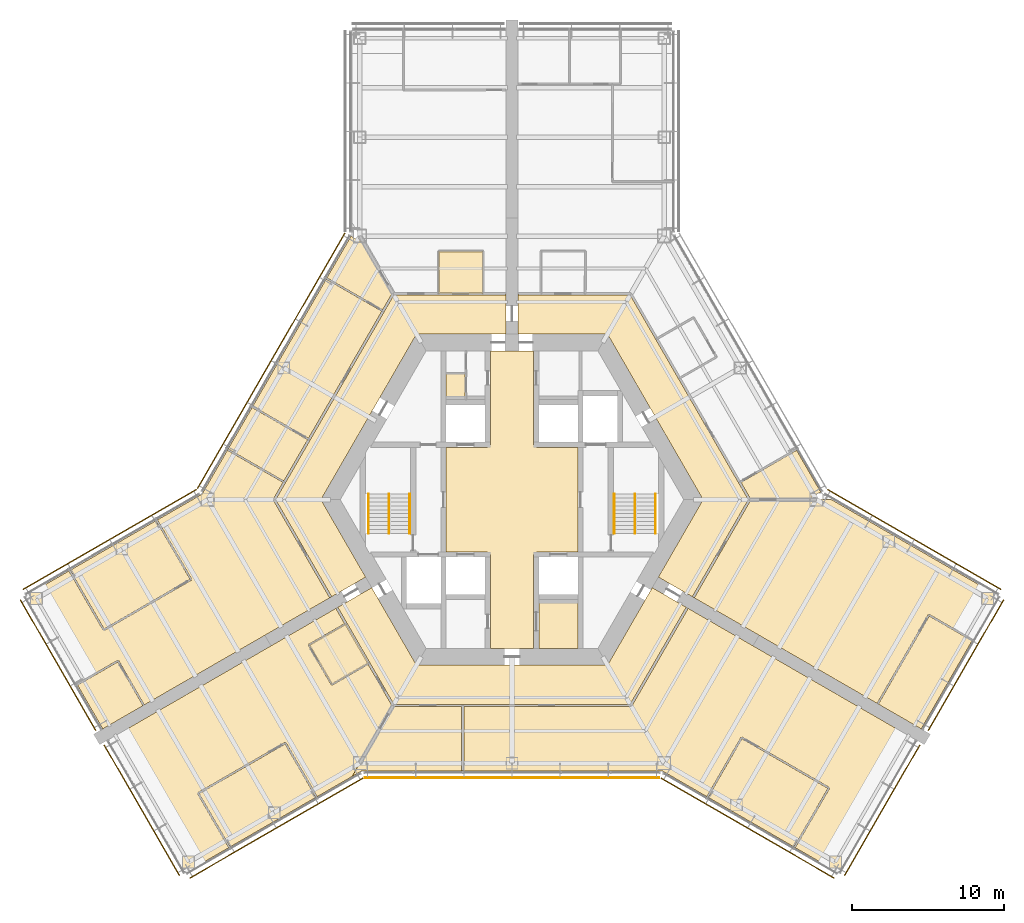
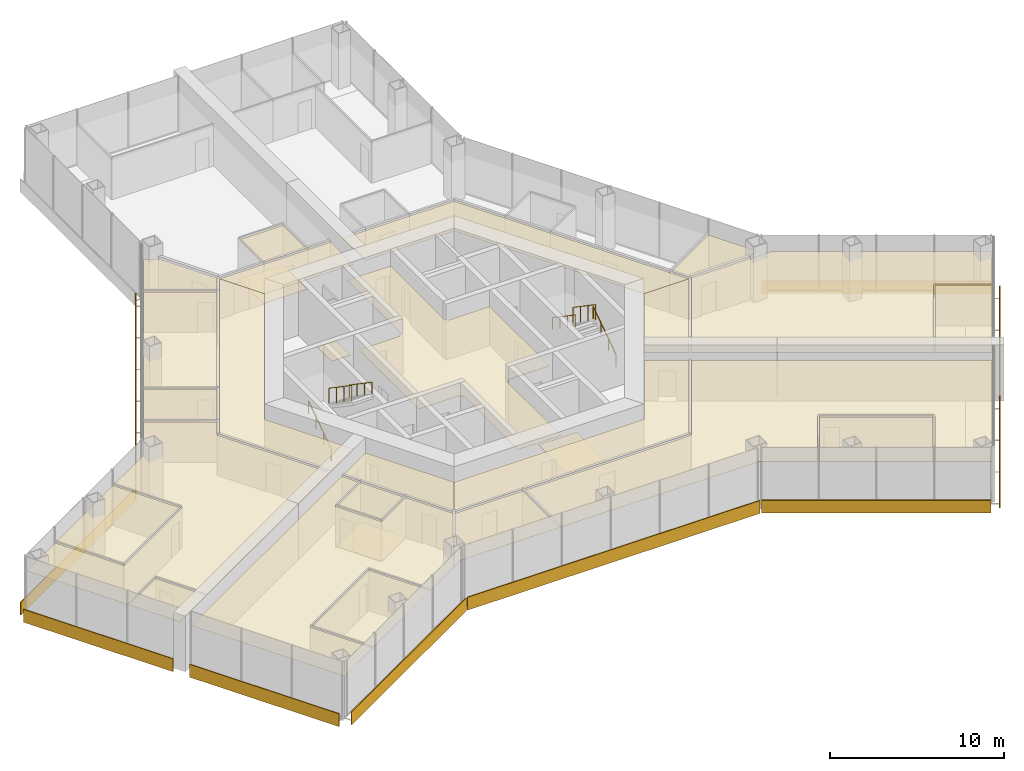
# One storey, part 17 of 18: 27 coverings, 10 shading devices, 6 railings.
"""IFC4 building model written with IfcOpenShell, lengths in metres."""

from ifc_helpers import new_model, si_unit, direction, frame, origin, origin_2d, place, context, subcontext, project, spatial, polyline, rectangle, circle, outline, extrude, material, layer, layer_set, type_object, element, save


model = new_model("IFC4")

# Units and contexts
model_context = context("Model", 3, precision=1e-05, world=origin(), true_north=direction((0.0, 1.0)))
body_context = subcontext(model_context, "Body", "Model", "MODEL_VIEW")
ifc_project = project(units=[si_unit("LENGTHUNIT", "METRE"), si_unit("AREAUNIT", "SQUARE_METRE"), si_unit("VOLUMEUNIT", "CUBIC_METRE"), si_unit("PLANEANGLEUNIT", "RADIAN"), si_unit("MASSUNIT", "GRAM", prefix="KILO")], contexts=[model_context])

# Site, building, storey
site_placement = place(None, origin())
site = spatial("IfcSite", under=ifc_project, at=site_placement, CompositionType="ELEMENT")
building_placement = place(site_placement, origin())
building = spatial("IfcBuilding", under=site, at=building_placement, Name="Kasaneha Research Tower", CompositionType="ELEMENT")
storey_placement = place(building_placement, frame((0.0, 0.0, 76.800048828125)))
storey = spatial("IfcBuildingStorey", under=building, at=storey_placement, Name="L19", CompositionType="ELEMENT", Elevation=76.800048828125)

# Covering
ifc_material_1 = material(Name="Aluminium panel ceiling", Category="aluminium")
ifc_layer_1 = layer(ifc_material_1, 0.0400390625)
ifc_layer_set_1 = layer_set([ifc_layer_1], Name="Lift lobby ceiling 40")
covering_type_1 = type_object("IfcCoveringType", Name="Lift lobby ceiling 40", PredefinedType="CEILING", material=ifc_layer_set_1)
covering_1_placement = place(storey_placement, frame((0.0, 0.0, 2.699951171875)))
element("IfcCovering", 1, at=covering_1_placement, inside=storey, type_object=covering_type_1, Name="Ceiling L19-01", PredefinedType="CEILING", context=body_context, shape_type="SweptSolid", body=[
    extrude(outline(polyline([(1.425048828125, 9.77490234375), (1.425048828125, 3.60009765625), (1.60009765625, 3.60009765625), (1.60009765625, 3.425048828125), (4.324951171875, 3.425048828125), (4.324951171875, -3.425048828125), (1.60009765625, -3.425048828125), (1.60009765625, -3.60009765625), (1.425048828125, -3.60009765625), (1.425048828125, -9.77490234375), (-1.425048828125, -9.77490234375), (-1.425048828125, -3.60009765625), (-1.60009765625, -3.60009765625), (-1.60009765625, -3.425048828125), (-4.324951171875, -3.425048828125), (-4.324951171875, 3.425048828125), (-1.60009765625, 3.425048828125), (-1.60009765625, 3.60009765625), (-1.425048828125, 3.60009765625), (-1.425048828125, 9.77490234375), (1.425048828125, 9.77490234375)])), origin(), (0.0, 0.0, 1.0), 0.0400390625),
])

# Railings
ifc_material_2 = material(Name="Steel", Category="steel")
railing_type_1 = type_object("IfcRailingType", Name="Stair balustrade 1100", PredefinedType="GUARDRAIL", material=ifc_material_2)
for number, where, name in (
    (2, (8.074951171875, 0.375, 2.127197265625), "Stair 1 balustrade L19"),
    (3, (-8.074951171875, 0.375, 2.127197265625), "Stair 2 balustrade L19"),
):
    element("IfcRailing", number, at=place(storey_placement, frame(where)), inside=storey, type_object=railing_type_1, Name=name, PredefinedType="GUARDRAIL", context=body_context, shape_type="SweptSolid", body=[
        extrude(circle(Radius=0.02392578125, at=origin_2d()), frame((0.0, 0.0, 1.076171875), z_axis=(0.0, -0.826240473404, 0.563317565952), x_axis=(1.0, 0.0, 0.0)), (0.0, 0.0, 1.0), 3.14697265625),
        extrude(circle(Radius=0.02099609375, at=origin_2d()), origin(), (0.0, 0.0, 1.0), 1.052001953125),
        extrude(circle(Radius=0.02099609375, at=origin_2d()), frame((0.0, -0.86669921875, 0.5908203125)), (0.0, 0.0, 1.0), 1.052001953125),
        extrude(circle(Radius=0.02099609375, at=origin_2d()), frame((0.0, -1.7333984375, 1.181884765625)), (0.0, 0.0, 1.0), 1.052001953125),
        extrude(circle(Radius=0.02099609375, at=origin_2d()), frame((0.0, -2.60009765625, 1.772705078125)), (0.0, 0.0, 1.0), 1.052001953125),
    ])
ifc_material_3 = material(Name="Steel", Category="steel")
railing_type_2 = type_object("IfcRailingType", Name="Stair handrail 850", PredefinedType="HANDRAIL", material=ifc_material_3)
railing_1_placement = place(storey_placement, frame((9.425048828125, -2.22509765625, 0.17724609375)))
element("IfcRailing", 4, at=railing_1_placement, inside=storey, type_object=railing_type_2, Name="Stair 1 handrail L19", PredefinedType="HANDRAIL", context=body_context, shape_type="SweptSolid", body=[
    extrude(circle(Radius=0.02392578125, at=origin_2d()), frame((0.0, 0.0, 0.826171875), z_axis=(0.0, 0.826240473404, 0.563317565952), x_axis=(-1.0, 0.0, 0.0)), (0.0, 0.0, 1.0), 3.14697265625),
    extrude(circle(Radius=0.02099609375, at=origin_2d()), origin(), (0.0, 0.0, 1.0), 0.802001953125),
    extrude(circle(Radius=0.02099609375, at=origin_2d()), frame((0.0, 0.86669921875, 0.5908203125)), (0.0, 0.0, 1.0), 0.802001953125),
    extrude(circle(Radius=0.02099609375, at=origin_2d()), frame((0.0, 1.7333984375, 1.181884765625)), (0.0, 0.0, 1.0), 0.802001953125),
    extrude(circle(Radius=0.02099609375, at=origin_2d()), frame((0.0, 2.60009765625, 1.772705078125)), (0.0, 0.0, 1.0), 0.802001953125),
])
railing_2_placement = place(storey_placement, frame((6.72509765625, 0.375, 2.127197265625)))
element("IfcRailing", 5, at=railing_2_placement, inside=storey, type_object=railing_type_2, Name="Stair 1 handrail L19", PredefinedType="HANDRAIL", context=body_context, shape_type="SweptSolid", body=[
    extrude(circle(Radius=0.02392578125, at=origin_2d()), frame((0.0, 0.0, 0.826171875), z_axis=(0.0, -0.826240473404, 0.563317565952), x_axis=(1.0, 0.0, 0.0)), (0.0, 0.0, 1.0), 3.14697265625),
    extrude(circle(Radius=0.02099609375, at=origin_2d()), origin(), (0.0, 0.0, 1.0), 0.802001953125),
    extrude(circle(Radius=0.02099609375, at=origin_2d()), frame((0.0, -0.86669921875, 0.5908203125)), (0.0, 0.0, 1.0), 0.802001953125),
    extrude(circle(Radius=0.02099609375, at=origin_2d()), frame((0.0, -1.7333984375, 1.181884765625)), (0.0, 0.0, 1.0), 0.802001953125),
    extrude(circle(Radius=0.02099609375, at=origin_2d()), frame((0.0, -2.60009765625, 1.772705078125)), (0.0, 0.0, 1.0), 0.802001953125),
])
railing_3_placement = place(storey_placement, frame((-9.425048828125, -2.22509765625, 0.17724609375)))
element("IfcRailing", 6, at=railing_3_placement, inside=storey, type_object=railing_type_2, Name="Stair 2 handrail L19", PredefinedType="HANDRAIL", context=body_context, shape_type="SweptSolid", body=[
    extrude(circle(Radius=0.02392578125, at=origin_2d()), frame((0.0, 0.0, 0.826171875), z_axis=(0.0, 0.826240473404, 0.563317565952), x_axis=(-1.0, 0.0, 0.0)), (0.0, 0.0, 1.0), 3.14697265625),
    extrude(circle(Radius=0.02099609375, at=origin_2d()), origin(), (0.0, 0.0, 1.0), 0.802001953125),
    extrude(circle(Radius=0.02099609375, at=origin_2d()), frame((0.0, 0.86669921875, 0.5908203125)), (0.0, 0.0, 1.0), 0.802001953125),
    extrude(circle(Radius=0.02099609375, at=origin_2d()), frame((0.0, 1.7333984375, 1.181884765625)), (0.0, 0.0, 1.0), 0.802001953125),
    extrude(circle(Radius=0.02099609375, at=origin_2d()), frame((0.0, 2.60009765625, 1.772705078125)), (0.0, 0.0, 1.0), 0.802001953125),
])
railing_4_placement = place(storey_placement, frame((-6.72509765625, 0.375, 2.127197265625)))
element("IfcRailing", 7, at=railing_4_placement, inside=storey, type_object=railing_type_2, Name="Stair 2 handrail L19", PredefinedType="HANDRAIL", context=body_context, shape_type="SweptSolid", body=[
    extrude(circle(Radius=0.02392578125, at=origin_2d()), frame((0.0, 0.0, 0.826171875), z_axis=(0.0, -0.826240473404, 0.563317565952), x_axis=(1.0, 0.0, 0.0)), (0.0, 0.0, 1.0), 3.14697265625),
    extrude(circle(Radius=0.02099609375, at=origin_2d()), origin(), (0.0, 0.0, 1.0), 0.802001953125),
    extrude(circle(Radius=0.02099609375, at=origin_2d()), frame((0.0, -0.86669921875, 0.5908203125)), (0.0, 0.0, 1.0), 0.802001953125),
    extrude(circle(Radius=0.02099609375, at=origin_2d()), frame((0.0, -1.7333984375, 1.181884765625)), (0.0, 0.0, 1.0), 0.802001953125),
    extrude(circle(Radius=0.02099609375, at=origin_2d()), frame((0.0, -2.60009765625, 1.772705078125)), (0.0, 0.0, 1.0), 0.802001953125),
])

# Coverings
ifc_material_4 = material(Name="Gypsum ceiling board", Category="gypsum")
ifc_layer_2 = layer(ifc_material_4, 0.02001953125)
ifc_layer_set_2 = layer_set([ifc_layer_2], Name="Suspended ceiling 20")
covering_type_2 = type_object("IfcCoveringType", Name="Suspended ceiling 20", PredefinedType="CEILING", material=ifc_layer_set_2)
covering_2_placement = place(storey_placement, frame((0.0, 0.0, 2.800048828125)))
element("IfcCovering", 8, at=covering_2_placement, inside=storey, type_object=covering_type_2, Name="Ceiling L19-24", PredefinedType="CEILING", context=body_context, shape_type="SweptSolid", body=[
    extrude(outline(polyline([(6.278564453125, 10.875), (0.39990234375, 10.875), (0.39990234375, 11.72509765625), (0.39990234375, 12.72509765625), (0.39990234375, 13.52490234375), (0.419921875, 13.52490234375), (0.419921875, 13.449951171875), (1.89501953125, 13.449951171875), (1.904541015625, 13.449951171875), (4.8125, 13.449951171875), (4.822021484375, 13.449951171875), (7.765380859375, 13.449951171875), (9.4501953125, 10.531494140625), (9.4501953125, 10.53173828125), (10.950439453125, 7.93310546875), (10.95068359375, 7.93310546875), (14.896728515625, 1.09814453125), (14.896728515625, 1.09814453125), (15.53076171875, 0.0), (12.557373046875, 0.0), (6.278564453125, 10.875)])), origin(), (0.0, 0.0, 1.0), 0.02001953125),
])
covering_3_placement = place(storey_placement, frame((0.0, 0.0, 2.800048828125)))
element("IfcCovering", 9, at=covering_3_placement, inside=storey, type_object=covering_type_2, Name="Ceiling L19-30", PredefinedType="CEILING", context=body_context, shape_type="SweptSolid", body=[
    extrude(outline(polyline([(19.41845703125, 0.0), (15.617431640625, 0.0), (15.605712890625, 0.02001953125), (15.670654296875, 0.0576171875), (15.051513671875, 1.1298828125), (18.687255859375, 3.234130859375), (18.662109375, 3.27734375), (18.679443359375, 3.287353515625), (20.28759765625, 0.501708984375), (19.41845703125, 0.0)])), origin(), (0.0, 0.0, 1.0), 0.02001953125),
])
covering_4_placement = place(storey_placement, frame((0.0, 0.0, 2.800048828125)))
element("IfcCovering", 10, at=covering_4_placement, inside=storey, type_object=covering_type_2, Name="Ceiling L19-32", PredefinedType="CEILING", context=body_context, shape_type="SweptSolid", body=[
    extrude(outline(polyline([(-0.39990234375, 11.72509765625), (-0.39990234375, 10.875), (-6.278564453125, 10.875), (-7.765380859375, 13.449951171875), (-7.765380859375, 13.449951171875), (-4.833984375, 13.449951171875), (-4.824462890625, 13.449951171875), (-1.904541015625, 13.449951171875), (-1.89501953125, 13.449951171875), (-0.419921875, 13.449951171875), (-0.419921875, 13.52490234375), (-0.39990234375, 13.52490234375), (-0.39990234375, 12.72509765625), (-0.39990234375, 11.72509765625)])), origin(), (0.0, 0.0, 1.0), 0.02001953125),
])
covering_5_placement = place(storey_placement, frame((0.0, 0.0, 2.800048828125)))
element("IfcCovering", 11, at=covering_5_placement, inside=storey, type_object=covering_type_2, Name="Ceiling L19-33", PredefinedType="CEILING", context=body_context, shape_type="SweptSolid", body=[
    extrude(outline(polyline([(-4.774658203125, 13.60009765625), (-4.77880859375, 16.27490234375), (-1.9501953125, 16.27490234375), (-1.954345703125, 13.60009765625), (-4.774658203125, 13.60009765625)])), origin(), (0.0, 0.0, 1.0), 0.02001953125),
])
covering_6_placement = place(storey_placement, frame((0.0, 0.0, 2.800048828125)))
element("IfcCovering", 12, at=covering_6_placement, inside=storey, type_object=covering_type_2, Name="Ceiling L19-36", PredefinedType="CEILING", context=body_context, shape_type="SweptSolid", body=[
    extrude(outline(polyline([(-12.557373046875, 0.0), (-9.617919921875, -5.091064453125), (-11.77685546875, -6.33740234375), (-11.9130859375, -6.416015625), (-11.923095703125, -6.398681640625), (-11.858154296875, -6.361328125), (-15.53076171875, 0.0), (-14.89697265625, 1.09765625), (-14.89697265625, 1.09765625), (-13.2734375, 3.90966796875), (-13.2734375, 3.90966796875), (-8.3994140625, 12.351806640625), (-8.3994140625, 12.351806640625), (-7.765380859375, 13.449951171875), (-6.278564453125, 10.875), (-12.557373046875, 0.0)])), origin(), (0.0, 0.0, 1.0), 0.02001953125),
])
covering_7_placement = place(storey_placement, frame((0.0, 0.0, 2.800048828125)))
element("IfcCovering", 13, at=covering_7_placement, inside=storey, type_object=covering_type_2, Name="Ceiling L19-37", PredefinedType="CEILING", context=body_context, shape_type="SweptSolid", body=[
    extrude(outline(polyline([(-18.679443359375, 3.287353515625), (-17.081298828125, 6.055419921875), (-13.42822265625, 3.94140625), (-14.9970703125, 1.22412109375), (-18.63720703125, 3.320556640625), (-18.662109375, 3.27734375), (-18.679443359375, 3.287353515625)])), origin(), (0.0, 0.0, 1.0), 0.02001953125),
])
covering_8_placement = place(storey_placement, frame((0.0, 0.0, 2.800048828125)))
element("IfcCovering", 14, at=covering_8_placement, inside=storey, type_object=covering_type_2, Name="Ceiling L19-38", PredefinedType="CEILING", context=body_context, shape_type="SweptSolid", body=[
    extrude(outline(polyline([(-23.34228515625, -1.352294921875), (-23.332275390625, -1.36962890625), (-23.37548828125, -1.39453125), (-21.160400390625, -5.231201171875), (-26.806640625, -8.490966796875), (-29.03173828125, -4.63720703125), (-23.34228515625, -1.352294921875)])), origin(), (0.0, 0.0, 1.0), 0.02001953125),
])
covering_9_placement = place(storey_placement, frame((0.0, 0.0, 2.800048828125)))
element("IfcCovering", 15, at=covering_9_placement, inside=storey, type_object=covering_type_2, Name="Ceiling L19-39", PredefinedType="CEILING", context=body_context, shape_type="SweptSolid", body=[
    extrude(outline(polyline([(-9.709228515625, 16.81689453125), (-7.80859375, 13.52490234375), (-7.8203125, 13.5048828125), (-7.88525390625, 13.54248046875), (-8.50439453125, 12.469970703125), (-12.16162109375, 14.576416015625), (-10.578369140625, 17.318603515625), (-9.709228515625, 16.81689453125)])), origin(), (0.0, 0.0, 1.0), 0.02001953125),
])
covering_10_placement = place(storey_placement, frame((0.0, 0.0, 2.800048828125)))
element("IfcCovering", 16, at=covering_10_placement, inside=storey, type_object=covering_type_2, Name="Ceiling L19-40", PredefinedType="CEILING", context=body_context, shape_type="SweptSolid", body=[
    extrude(outline(polyline([(-24.20654296875, -13.513916015625), (-26.891357421875, -15.063720703125), (-28.5498046875, -12.19140625), (-25.908203125, -10.66650390625), (-24.260009765625, -13.521484375), (-24.216796875, -13.49658203125), (-24.20654296875, -13.513916015625)])), origin(), (0.0, 0.0, 1.0), 0.02001953125),
])
covering_11_placement = place(storey_placement, frame((0.0, 0.0, 2.800048828125)))
element("IfcCovering", 17, at=covering_11_placement, inside=storey, type_object=covering_type_2, Name="Ceiling L19-41", PredefinedType="CEILING", context=body_context, shape_type="SweptSolid", body=[
    extrude(outline(polyline([(-25.89013671875, -10.597900390625), (-25.9150390625, -10.554931640625), (-28.599609375, -12.10498046875), (-31.94140625, -6.31689453125), (-29.118408203125, -4.68701171875), (-26.868408203125, -8.584228515625), (-26.8251953125, -8.559326171875), (-26.824951171875, -8.5595703125), (-26.82470703125, -8.5595703125), (-26.800048828125, -8.6025390625), (-21.067138671875, -5.292724609375), (-21.092041015625, -5.249755859375), (-21.092041015625, -5.249755859375), (-21.092041015625, -5.249267578125), (-21.048828125, -5.224365234375), (-23.288818359375, -1.344482421875), (-23.331787109375, -1.369384765625), (-23.341796875, -1.35205078125), (-20.365966796875, 0.365966796875), (-18.6796875, 3.286865234375), (-18.662353515625, 3.27685546875), (-18.68701171875, 3.23388671875), (-15.047119140625, 1.137451171875), (-15.68212890625, 0.03759765625), (-15.61767578125, 0.000244140625), (-15.617919921875, -0.000244140625), (-15.61767578125, -0.000244140625), (-15.68212890625, -0.03759765625), (-11.988037109375, -6.436279296875), (-11.92333984375, -6.39892578125), (-11.913330078125, -6.416259765625), (-14.747802734375, -8.052734375), (-24.206298828125, -13.513671875), (-24.21630859375, -13.496337890625), (-24.17333984375, -13.471435546875), (-25.8466796875, -10.5732421875), (-25.8896484375, -10.59814453125), (-25.889892578125, -10.59765625), (-25.89013671875, -10.597900390625)])), origin(), (0.0, 0.0, 1.0), 0.02001953125),
])
covering_12_placement = place(storey_placement, frame((0.0, 0.0, 2.800048828125)))
element("IfcCovering", 18, at=covering_12_placement, inside=storey, type_object=covering_type_2, Name="Ceiling L19-42", PredefinedType="CEILING", context=body_context, shape_type="SweptSolid", body=[
    extrude(outline(polyline([(-17.055908203125, 6.09912109375), (-12.186767578125, 14.53271484375), (-12.186767578125, 14.53271484375), (-12.211669921875, 14.489990234375), (-8.55419921875, 12.383544921875), (-13.37841796875, 4.028076171875), (-17.03125, 6.14208984375), (-17.055908203125, 6.09912109375), (-17.055908203125, 6.09912109375)])), origin(), (0.0, 0.0, 1.0), 0.02001953125),
])
covering_13_placement = place(storey_placement, frame((0.0, 0.0, 2.800048828125)))
element("IfcCovering", 19, at=covering_13_placement, inside=storey, type_object=covering_type_2, Name="Ceiling L19-43", PredefinedType="CEILING", context=body_context, shape_type="SweptSolid", body=[
    extrude(outline(polyline([(-7.765380859375, -13.449951171875), (-9.350341796875, -10.704833984375), (-9.350341796875, -10.704833984375), (-10.8505859375, -8.106201171875), (-10.8505859375, -8.106201171875), (-11.43798828125, -7.088623046875), (-11.5029296875, -7.126220703125), (-11.512939453125, -7.10888671875), (-9.218017578125, -5.783935546875), (-6.278564453125, -10.875), (-7.765380859375, -13.449951171875)])), origin(), (0.0, 0.0, 1.0), 0.02001953125),
])
covering_14_placement = place(storey_placement, frame((0.0, 0.0, 2.800048828125)))
element("IfcCovering", 20, at=covering_14_placement, inside=storey, type_object=covering_type_2, Name="Ceiling L19-44", PredefinedType="CEILING", context=body_context, shape_type="SweptSolid", body=[
    extrude(outline(polyline([(-10.95068359375, -8.232666015625), (-9.505126953125, -10.736572265625), (-11.819580078125, -12.077880859375), (-13.26953125, -9.56640625), (-10.95068359375, -8.232666015625)])), origin(), (0.0, 0.0, 1.0), 0.02001953125),
])
covering_15_placement = place(storey_placement, frame((0.0, 0.0, 2.800048828125)))
element("IfcCovering", 21, at=covering_15_placement, inside=storey, type_object=covering_type_2, Name="Ceiling L19-45", PredefinedType="CEILING", context=body_context, shape_type="SweptSolid", body=[
    extrude(outline(polyline([(-18.574951171875, -22.8486328125), (-18.5849609375, -22.831298828125), (-18.541748046875, -22.806396484375), (-20.556640625, -19.316162109375), (-14.910400390625, -16.056396484375), (-12.885498046875, -19.563720703125), (-12.84228515625, -19.538818359375), (-12.84228515625, -19.538818359375), (-18.574951171875, -22.8486328125)])), origin(), (0.0, 0.0, 1.0), 0.02001953125),
])
covering_16_placement = place(storey_placement, frame((0.0, 0.0, 2.800048828125)))
element("IfcCovering", 22, at=covering_16_placement, inside=storey, type_object=covering_type_2, Name="Ceiling L19-46", PredefinedType="CEILING", context=body_context, shape_type="SweptSolid", body=[
    extrude(outline(polyline([(-13.33837890625, -9.548095703125), (-13.338134765625, -9.54833984375), (-13.381103515625, -9.572998046875), (-11.881103515625, -12.171142578125), (-11.83837890625, -12.146484375), (-11.83837890625, -12.146484375), (-11.837890625, -12.146240234375), (-11.812744140625, -12.189453125), (-9.455078125, -10.8232421875), (-7.88525390625, -13.54248046875), (-7.820556640625, -13.505126953125), (-7.808837890625, -13.525390625), (-10.5, -18.1865234375), (-12.841796875, -19.53857421875), (-12.841796875, -19.53857421875), (-12.798828125, -19.513916015625), (-14.848876953125, -15.963134765625), (-14.89208984375, -15.988037109375), (-14.89208984375, -15.987548828125), (-14.892333984375, -15.98779296875), (-14.917236328125, -15.94482421875), (-20.64990234375, -19.254638671875), (-20.625244140625, -19.297607421875), (-20.625244140625, -19.297607421875), (-20.625, -19.2978515625), (-20.668212890625, -19.322998046875), (-18.62841796875, -22.856201171875), (-18.58544921875, -22.83154296875), (-18.575439453125, -22.848876953125), (-21.44140625, -24.50341796875), (-26.491455078125, -15.756591796875), (-11.513427734375, -7.109130859375), (-11.50341796875, -7.12646484375), (-11.56787109375, -7.163818359375), (-11.000732421875, -8.14599609375), (-13.36279296875, -9.504638671875), (-13.337890625, -9.5478515625), (-13.33837890625, -9.548095703125)])), origin(), (0.0, 0.0, 1.0), 0.02001953125),
])
covering_17_placement = place(storey_placement, frame((0.0, 0.0, 2.800048828125)))
element("IfcCovering", 23, at=covering_17_placement, inside=storey, type_object=covering_type_2, Name="Ceiling L19-47", PredefinedType="CEILING", context=body_context, shape_type="SweptSolid", body=[
    extrude(outline(polyline([(9.617919921875, -5.091064453125), (12.557373046875, 0.0), (15.53076171875, 0.0), (15.53076171875, 0.0), (11.858154296875, -6.361328125), (11.923095703125, -6.398681640625), (11.9130859375, -6.416015625), (11.77685546875, -6.33740234375), (9.617919921875, -5.091064453125)])), origin(), (0.0, 0.0, 1.0), 0.02001953125),
])
covering_18_placement = place(storey_placement, frame((0.0, 0.0, 2.800048828125)))
element("IfcCovering", 24, at=covering_18_placement, inside=storey, type_object=covering_type_2, Name="Ceiling L19-48", PredefinedType="CEILING", context=body_context, shape_type="SweptSolid", body=[
    extrude(outline(polyline([(24.033447265625, -13.413818359375), (24.04345703125, -13.396484375), (24.0869140625, -13.42138671875), (27.41845703125, -7.65087890625), (30.23291015625, -9.27587890625), (30.258056640625, -9.232666015625), (30.258056640625, -9.232666015625), (26.891357421875, -15.063720703125), (24.033447265625, -13.413818359375)])), origin(), (0.0, 0.0, 1.0), 0.02001953125),
])
covering_19_placement = place(storey_placement, frame((0.0, 0.0, 2.800048828125)))
element("IfcCovering", 25, at=covering_19_placement, inside=storey, type_object=covering_type_2, Name="Ceiling L19-49", PredefinedType="CEILING", context=body_context, shape_type="SweptSolid", body=[
    extrude(outline(polyline([(21.0, 0.0), (31.94140625, -6.31689453125), (30.25830078125, -9.232177734375), (30.25830078125, -9.232177734375), (30.282958984375, -9.189208984375), (27.425048828125, -7.539306640625), (27.400146484375, -7.58251953125), (27.399658203125, -7.582275390625), (27.399658203125, -7.582275390625), (27.356689453125, -7.5576171875), (24.000244140625, -13.37158203125), (24.04296875, -13.396240234375), (24.032958984375, -13.41357421875), (15.218994140625, -8.324951171875), (11.913330078125, -6.416259765625), (11.92333984375, -6.39892578125), (11.988037109375, -6.436279296875), (15.670654296875, -0.0576171875), (15.606201171875, -0.020263671875), (15.617919921875, 0.0), (21.0, 0.0)])), origin(), (0.0, 0.0, 1.0), 0.02001953125),
])
covering_20_placement = place(storey_placement, frame((0.0, 0.0, 2.800048828125)))
element("IfcCovering", 26, at=covering_20_placement, inside=storey, type_object=covering_type_2, Name="Ceiling L19-50", PredefinedType="CEILING", context=body_context, shape_type="SweptSolid", body=[
    extrude(outline(polyline([(-6.278564453125, -10.875), (6.278564453125, -10.875), (9.218017578125, -5.783935546875), (11.512939453125, -7.10888671875), (11.5029296875, -7.126220703125), (11.43798828125, -7.088623046875), (7.765380859375, -13.449951171875), (-3.241455078125, -13.449951171875), (-3.25146484375, -13.449951171875), (-7.765380859375, -13.449951171875), (-7.765380859375, -13.449951171875), (-6.278564453125, -10.875)])), origin(), (0.0, 0.0, 1.0), 0.02001953125),
])
covering_21_placement = place(storey_placement, frame((0.0, 0.0, 2.800048828125)))
element("IfcCovering", 27, at=covering_21_placement, inside=storey, type_object=covering_type_2, Name="Ceiling L19-51", PredefinedType="CEILING", context=body_context, shape_type="SweptSolid", body=[
    extrude(outline(polyline([(12.84228515625, -19.538818359375), (12.84228515625, -19.538818359375), (12.885498046875, -19.563720703125), (15.110595703125, -15.7099609375), (20.756591796875, -18.9697265625), (18.541748046875, -22.806396484375), (18.5849609375, -22.831298828125), (18.574951171875, -22.8486328125), (12.84228515625, -19.538818359375)])), origin(), (0.0, 0.0, 1.0), 0.02001953125),
])
covering_22_placement = place(storey_placement, frame((0.0, 0.0, 2.800048828125)))
element("IfcCovering", 28, at=covering_22_placement, inside=storey, type_object=covering_type_2, Name="Ceiling L19-52", PredefinedType="CEILING", context=body_context, shape_type="SweptSolid", body=[
    extrude(outline(polyline([(7.80908203125, -13.525146484375), (7.87353515625, -13.5625), (11.56787109375, -7.163818359375), (11.50341796875, -7.12646484375), (11.513427734375, -7.109130859375), (26.491455078125, -15.756591796875), (21.44140625, -24.50341796875), (18.575439453125, -22.848876953125), (18.58544921875, -22.83154296875), (18.62841796875, -22.856201171875), (20.868408203125, -18.9765625), (20.8251953125, -18.95166015625), (20.825439453125, -18.951171875), (20.8251953125, -18.951171875), (20.85009765625, -18.908203125), (15.1171875, -15.598388671875), (15.092529296875, -15.641357421875), (15.092529296875, -15.641357421875), (15.092041015625, -15.6416015625), (15.048828125, -15.61669921875), (12.798828125, -19.513916015625), (12.841796875, -19.53857421875), (12.841796875, -19.53857421875), (9.865966796875, -17.820556640625), (-3.246337890625, -17.820556640625), (-3.246337890625, -17.800537109375), (-3.17138671875, -17.800537109375), (-3.16650390625, -13.60009765625), (7.80859375, -13.60009765625), (7.80859375, -13.525390625), (7.808837890625, -13.525390625), (7.80908203125, -13.525146484375)])), origin(), (0.0, 0.0, 1.0), 0.02001953125),
])
covering_23_placement = place(storey_placement, frame((0.0, 0.0, 2.800048828125)))
element("IfcCovering", 29, at=covering_23_placement, inside=storey, type_object=covering_type_2, Name="Ceiling L19-53", PredefinedType="CEILING", context=body_context, shape_type="SweptSolid", body=[
    extrude(outline(polyline([(-7.808837890625, -13.525390625), (-7.78564453125, -13.525390625), (-7.78564453125, -13.60009765625), (-3.31640625, -13.60009765625), (-3.3212890625, -17.80029296875), (-3.246337890625, -17.800537109375), (-3.246337890625, -17.820556640625), (-9.865966796875, -17.820556640625), (-10.5, -18.1865234375), (-7.808837890625, -13.525390625)])), origin(), (0.0, 0.0, 1.0), 0.02001953125),
])

# Shading devices
ifc_material_5 = material(Name="Terracotta", Category="masonry")
ifc_layer_3 = layer(ifc_material_5, 0.06005859375)
ifc_layer_set_3 = layer_set([ifc_layer_3], Name="Terracotta baguette screen")
shading_device_type = type_object("IfcShadingDeviceType", Name="Terracotta baguette screen", PredefinedType="USERDEFINED", material=ifc_layer_set_3)
shading_device_1_placement = place(storey_placement, frame((-15.483642578125, -21.58349609375, -0.449951171875), z_axis=(0.0, 0.0, 1.0), x_axis=(0.866025411464, 0.499999986699, 0.0)))
element("IfcShadingDevice", 30, at=shading_device_1_placement, inside=storey, type_object=shading_device_type, Name="Baguette screen L19 01", ObjectType="TERRACOTTA BAGUETTE SCREEN", PredefinedType="USERDEFINED", context=body_context, shape_type="SweptSolid", body=[
    extrude(rectangle(XDim=13.13916015625, YDim=0.06005859375, at=origin_2d()), origin(), (0.0, 0.0, 1.0), 0.89990234375),
])
shading_device_2_placement = place(storey_placement, frame((0.0, -18.2705078125, -0.449951171875), z_axis=(0.0, 0.0, 1.0), x_axis=(1.0, 0.0, 0.0)))
element("IfcShadingDevice", 31, at=shading_device_2_placement, inside=storey, type_object=shading_device_type, Name="Baguette screen L19 02", ObjectType="TERRACOTTA BAGUETTE SCREEN", PredefinedType="USERDEFINED", context=body_context, shape_type="SweptSolid", body=[
    extrude(rectangle(XDim=19.37841796875, YDim=0.06005859375, at=origin_2d()), origin(), (0.0, 0.0, 1.0), 0.89990234375),
])
shading_device_3_placement = place(storey_placement, frame((15.483642578125, -21.58349609375, -0.449951171875), z_axis=(0.0, 0.0, 1.0), x_axis=(0.866025411464, -0.499999986699, 0.0)))
element("IfcShadingDevice", 32, at=shading_device_3_placement, inside=storey, type_object=shading_device_type, Name="Baguette screen L19 03", ObjectType="TERRACOTTA BAGUETTE SCREEN", PredefinedType="USERDEFINED", context=body_context, shape_type="SweptSolid", body=[
    extrude(rectangle(XDim=13.13916015625, YDim=0.06005859375, at=origin_2d()), origin(), (0.0, 0.0, 1.0), 0.89990234375),
])
for number, where, z_axis, x_axis, name in (
    (33, (24.3310546875, -20.3984375, -0.449951171875), (0.0, 0.0, 1.0), (0.500000011442, 0.866025397178, 0.0), "Baguette screen L19 04"),
    (34, (29.8310546875, -10.8720703125, -0.449951171875), (0.0, 0.0, 1.0), (0.500000011442, 0.866025397178, 0.0), "Baguette screen L19 05"),
):
    element("IfcShadingDevice", number, at=place(storey_placement, frame(where, z_axis=z_axis, x_axis=x_axis)), inside=storey, type_object=shading_device_type, Name=name, ObjectType="TERRACOTTA BAGUETTE SCREEN", PredefinedType="USERDEFINED", context=body_context, shape_type="SweptSolid", body=[
        extrude(rectangle(XDim=9.89990234375, YDim=0.06005859375, at=origin_2d()), origin(), (0.0, 0.0, 1.0), 0.89990234375),
    ])
shading_device_4_placement = place(storey_placement, frame((26.43359375, -2.617431640625, -0.449951171875), z_axis=(0.0, 0.0, 1.0), x_axis=(-0.866025411464, 0.499999986699, 0.0)))
element("IfcShadingDevice", 35, at=shading_device_4_placement, inside=storey, type_object=shading_device_type, Name="Baguette screen L19 06", ObjectType="TERRACOTTA BAGUETTE SCREEN", PredefinedType="USERDEFINED", context=body_context, shape_type="SweptSolid", body=[
    extrude(rectangle(XDim=13.13916015625, YDim=0.06005859375, at=origin_2d()), origin(), (0.0, 0.0, 1.0), 0.89990234375),
])
shading_device_5_placement = place(storey_placement, frame((-15.82275390625, 9.13525390625, -0.449951171875), z_axis=(0.0, 0.0, 1.0), x_axis=(-0.49999996188, -0.866025425793, 0.0)))
element("IfcShadingDevice", 36, at=shading_device_5_placement, inside=storey, type_object=shading_device_type, Name="Baguette screen L19 12", ObjectType="TERRACOTTA BAGUETTE SCREEN", PredefinedType="USERDEFINED", context=body_context, shape_type="SweptSolid", body=[
    extrude(rectangle(XDim=19.37841796875, YDim=0.06005859375, at=origin_2d()), origin(), (0.0, 0.0, 1.0), 0.89990234375),
])
shading_device_6_placement = place(storey_placement, frame((-26.43359375, -2.617431640625, -0.449951171875), z_axis=(0.0, 0.0, 1.0), x_axis=(-0.866025411464, -0.499999986699, 0.0)))
element("IfcShadingDevice", 37, at=shading_device_6_placement, inside=storey, type_object=shading_device_type, Name="Baguette screen L19 13", ObjectType="TERRACOTTA BAGUETTE SCREEN", PredefinedType="USERDEFINED", context=body_context, shape_type="SweptSolid", body=[
    extrude(rectangle(XDim=13.13916015625, YDim=0.06005859375, at=origin_2d()), origin(), (0.0, 0.0, 1.0), 0.89990234375),
])
for number, where, z_axis, x_axis, name in (
    (38, (-29.8310546875, -10.8720703125, -0.449951171875), (0.0, 0.0, 1.0), (0.500000011442, -0.866025397178, 0.0), "Baguette screen L19 14"),
    (39, (-24.3310546875, -20.3984375, -0.449951171875), (0.0, 0.0, 1.0), (0.500000011442, -0.866025397178, 0.0), "Baguette screen L19 15"),
):
    element("IfcShadingDevice", number, at=place(storey_placement, frame(where, z_axis=z_axis, x_axis=x_axis)), inside=storey, type_object=shading_device_type, Name=name, ObjectType="TERRACOTTA BAGUETTE SCREEN", PredefinedType="USERDEFINED", context=body_context, shape_type="SweptSolid", body=[
        extrude(rectangle(XDim=9.89990234375, YDim=0.06005859375, at=origin_2d()), origin(), (0.0, 0.0, 1.0), 0.89990234375),
    ])

# Coverings
ifc_material_6 = material(Name="Vinyl sheet flooring", Category="plastic")
ifc_layer_4 = layer(ifc_material_6, 0.0048828125)
ifc_layer_set_4 = layer_set([ifc_layer_4], Name="Wet room sheet flooring 5")
covering_type_3 = type_object("IfcCoveringType", Name="Wet room sheet flooring 5", PredefinedType="FLOORING", material=ifc_layer_set_4)
covering_24_placement = place(storey_placement, origin())
element("IfcCovering", 40, at=covering_24_placement, inside=storey, type_object=covering_type_3, Name="Floor finish L19-07", PredefinedType="FLOORING", context=body_context, shape_type="SweptSolid", body=[
    extrude(outline(polyline([(-4.324951171875, 6.574951171875), (-4.324951171875, 8.25), (-3.074951171875, 8.25), (-3.074951171875, 6.574951171875), (-4.324951171875, 6.574951171875)])), origin(), (0.0, 0.0, 1.0), 0.0048828125),
])
covering_25_placement = place(storey_placement, origin())
element("IfcCovering", 41, at=covering_25_placement, inside=storey, type_object=covering_type_3, Name="Floor finish L19-11", PredefinedType="FLOORING", context=body_context, shape_type="SweptSolid", body=[
    extrude(outline(polyline([(1.77490234375, -9.77490234375), (1.77490234375, -6.574951171875), (4.324951171875, -6.574951171875), (4.324951171875, -9.77490234375), (1.77490234375, -9.77490234375)])), origin(), (0.0, 0.0, 1.0), 0.0048828125),
])
covering_26_placement = place(storey_placement, origin())
element("IfcCovering", 42, at=covering_26_placement, inside=storey, type_object=covering_type_3, Name="Floor finish L19-33", PredefinedType="FLOORING", context=body_context, shape_type="SweptSolid", body=[
    extrude(outline(polyline([(-4.8291015625, 16.324951171875), (-1.89990234375, 16.324951171875), (-1.89990234375, 13.52490234375), (-4.8291015625, 13.52490234375), (-4.8291015625, 16.324951171875)])), origin(), (0.0, 0.0, 1.0), 0.0048828125),
])
covering_27_placement = place(storey_placement, origin())
element("IfcCovering", 43, at=covering_27_placement, inside=storey, type_object=covering_type_3, Name="Floor finish L19-44", PredefinedType="FLOORING", context=body_context, shape_type="SweptSolid", body=[
    extrude(outline(polyline([(-11.837890625, -12.146240234375), (-13.337890625, -9.548095703125), (-10.9130859375, -8.148193359375), (-9.4130859375, -10.746337890625), (-11.837890625, -12.146240234375)])), origin(), (0.0, 0.0, 1.0), 0.0048828125),
])

save(model, "model.ifc")
